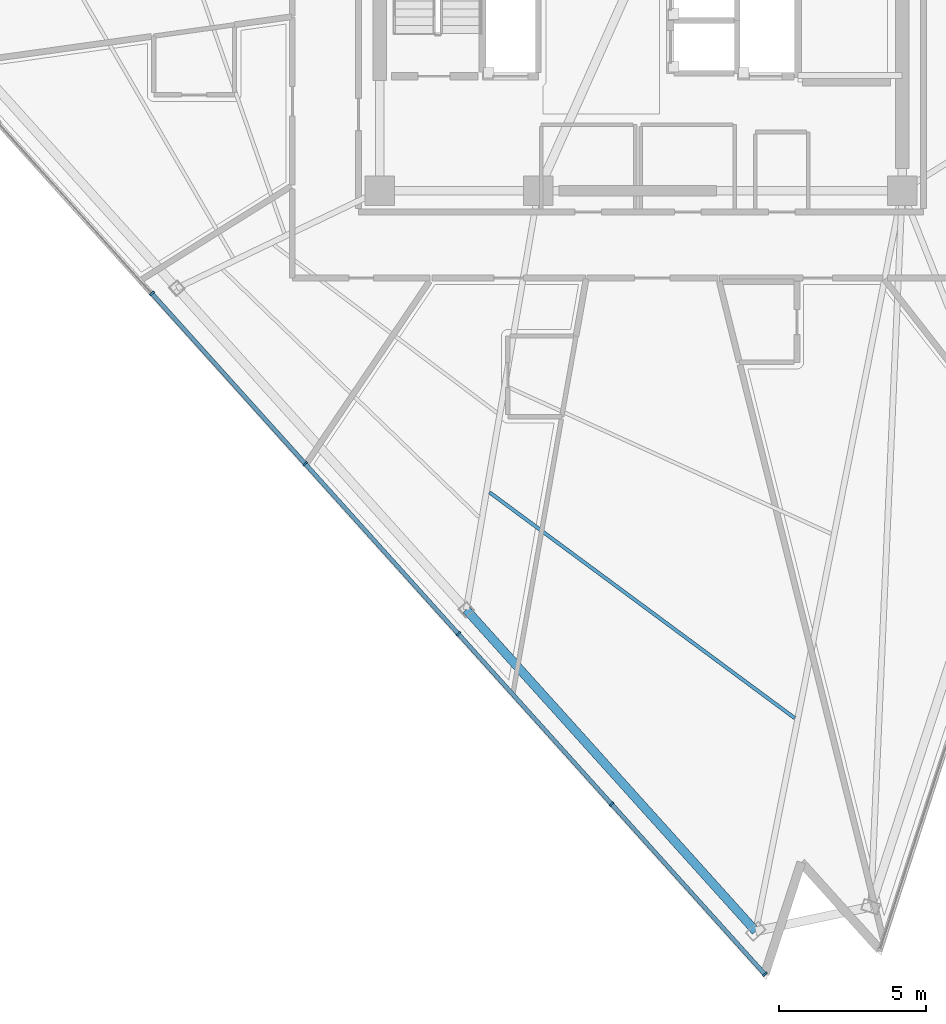
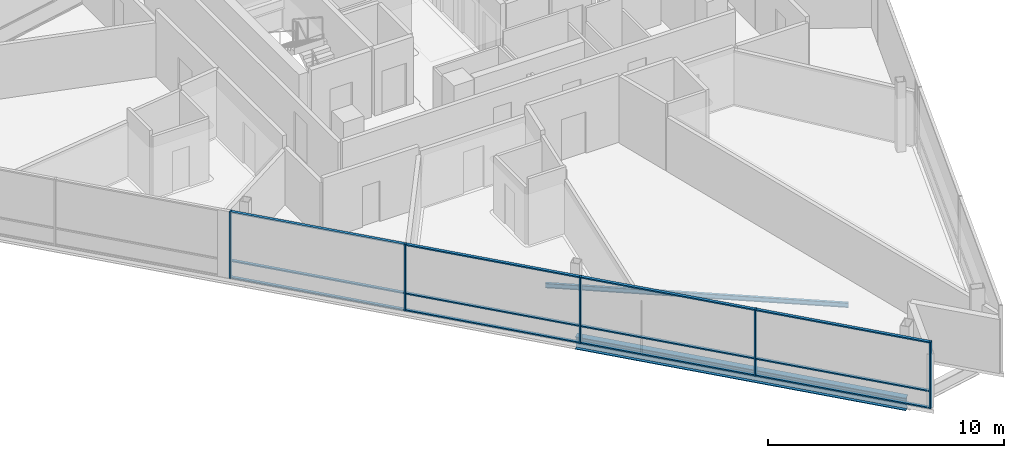
# One storey, part 2 of 17: 17 members, 2 beams, 1 element without a shape of its own.
"""IFC4 building model written with IfcOpenShell, lengths in metres."""

from ifc_helpers import new_model, si_unit, direction, frame, origin, origin_2d, place, context, subcontext, project, spatial, rectangle, i_section, extrude, material, layer, layer_set, material_profile, profile_set, type_object, element, aggregate, save


model = new_model("IFC4")

# Units and contexts
model_context = context("Model", 3, precision=1e-05, world=origin(), true_north=direction((0.0, 1.0)))
body_context = subcontext(model_context, "Body", "Model", "MODEL_VIEW")
ifc_project = project(units=[si_unit("LENGTHUNIT", "METRE"), si_unit("AREAUNIT", "SQUARE_METRE"), si_unit("VOLUMEUNIT", "CUBIC_METRE"), si_unit("PLANEANGLEUNIT", "RADIAN"), si_unit("MASSUNIT", "GRAM", prefix="KILO")], contexts=[model_context])

# Site, building, storey
site_placement = place(None, origin())
site = spatial("IfcSite", under=ifc_project, at=site_placement, CompositionType="ELEMENT")
building_placement = place(site_placement, origin())
building = spatial("IfcBuilding", under=site, at=building_placement, Name="Tharavind Bronze Gate", CompositionType="ELEMENT")
storey_placement = place(building_placement, frame((0.0, 0.0, 294.35009765625)))
storey = spatial("IfcBuildingStorey", under=building, at=storey_placement, Name="L76", CompositionType="ELEMENT", Elevation=294.35009765625)

# Curtain wall, members
ifc_material_1 = material(Name="Anodised Bronze Aluminium", Category="aluminium")
ifc_layer = layer(ifc_material_1, 0.219970703125)
ifc_layer_set = layer_set([ifc_layer], Name="Anodised Bronze Aluminium")
curtain_wall_type = type_object("IfcCurtainWallType", Name="UNITISED CURTAIN WALL CROWN", PredefinedType="USERDEFINED", material=ifc_layer_set)
curtain_wall_placement = place(storey_placement, origin())
curtain_wall = element("IfcCurtainWall", 1, at=curtain_wall_placement, inside=storey, type_object=curtain_wall_type, Name="L76 unitised curtain wall crown CW-L76-S1", ObjectType="UNITISED CURTAIN WALL", PredefinedType="USERDEFINED")
member_type_1 = type_object("IfcMemberType", Name="CURTAIN WALL BRONZE MULLION 65X180", PredefinedType="MULLION", material=ifc_material_1)
member_1_placement = place(storey_placement, frame((-16.663330078125, -11.101806640625, 0.0), z_axis=(0.0, 0.0, 1.0), x_axis=(0.669130606359, -0.743144825477, 0.0)))
member_1 = element("IfcMember", 2, at=member_1_placement, type_object=member_type_1, Name="CW-L76-S1 mullion 3", PredefinedType="MULLION", context=body_context, shape_type="SweptSolid", body=[
    extrude(rectangle(XDim=0.06494140625, YDim=0.179931640625, at=origin_2d()), origin(), (0.0, 0.0, 1.0), 3.449951171875),
])
member_2_placement = place(storey_placement, frame((-11.442138671875, -16.900390625, 0.0), z_axis=(0.0, 0.0, 1.0), x_axis=(0.669130606359, -0.743144825477, 0.0)))
member_2 = element("IfcMember", 3, at=member_2_placement, type_object=member_type_1, Name="CW-L76-S1 mullion 4", PredefinedType="MULLION", context=body_context, shape_type="SweptSolid", body=[
    extrude(rectangle(XDim=0.06494140625, YDim=0.179931640625, at=origin_2d()), origin(), (0.0, 0.0, 1.0), 3.449951171875),
])
member_3_placement = place(storey_placement, frame((-6.22119140625, -22.698974609375, 0.0), z_axis=(0.0, 0.0, 1.0), x_axis=(0.669130606359, -0.743144825477, 0.0)))
member_3 = element("IfcMember", 4, at=member_3_placement, type_object=member_type_1, Name="CW-L76-S1 mullion 5", PredefinedType="MULLION", context=body_context, shape_type="SweptSolid", body=[
    extrude(rectangle(XDim=0.06494140625, YDim=0.179931640625, at=origin_2d()), origin(), (0.0, 0.0, 1.0), 3.449951171875),
])
member_4_placement = place(storey_placement, frame((-1.000244140625, -28.49755859375, 0.0), z_axis=(0.0, 0.0, 1.0), x_axis=(0.669130606359, -0.743144825477, 0.0)))
member_4 = element("IfcMember", 5, at=member_4_placement, type_object=member_type_1, Name="CW-L76-S1 mullion 6", PredefinedType="MULLION", context=body_context, shape_type="SweptSolid", body=[
    extrude(rectangle(XDim=0.06494140625, YDim=0.179931640625, at=origin_2d()), origin(), (0.0, 0.0, 1.0), 3.449951171875),
])
member_5_placement = place(storey_placement, frame((4.220703125, -34.2958984375, 0.0), z_axis=(0.0, 0.0, 1.0), x_axis=(0.669130606359, -0.743144825477, 0.0)))
member_5 = element("IfcMember", 6, at=member_5_placement, type_object=member_type_1, Name="CW-L76-S1 mullion 7", PredefinedType="MULLION", context=body_context, shape_type="SweptSolid", body=[
    extrude(rectangle(XDim=0.06494140625, YDim=0.179931640625, at=origin_2d()), origin(), (0.0, 0.0, 1.0), 3.449951171875),
])
member_type_2 = type_object("IfcMemberType", Name="CURTAIN WALL BRONZE TRANSOM 65X140", PredefinedType="USERDEFINED", material=ifc_material_1)
member_6_placement = place(storey_placement, frame((-14.052734375, -14.001220703125, 0.0), z_axis=(0.0, 0.0, 1.0), x_axis=(0.669130606359, -0.743144825477, 0.0)))
member_6 = element("IfcMember", 7, at=member_6_placement, type_object=member_type_2, Name="CW-L76-S1 transom TB3", ObjectType="TRANSOM", PredefinedType="USERDEFINED", context=body_context, shape_type="SweptSolid", body=[
    extrude(rectangle(XDim=7.749755859375, YDim=0.139892578125, at=origin_2d()), origin(), (0.0, 0.0, 1.0), 0.06494140625),
])
member_7_placement = place(storey_placement, frame((-14.052734375, -14.001220703125, 0.867431640625), z_axis=(0.0, 0.0, 1.0), x_axis=(0.669130606359, -0.743144825477, 0.0)))
member_7 = element("IfcMember", 8, at=member_7_placement, type_object=member_type_2, Name="CW-L76-S1 transom TS3", ObjectType="TRANSOM", PredefinedType="USERDEFINED", context=body_context, shape_type="SweptSolid", body=[
    extrude(rectangle(XDim=7.749755859375, YDim=0.139892578125, at=origin_2d()), origin(), (0.0, 0.0, 1.0), 0.06494140625),
])
member_8_placement = place(storey_placement, frame((-14.052734375, -14.001220703125, 3.385009765625), z_axis=(0.0, 0.0, 1.0), x_axis=(0.669130606359, -0.743144825477, 0.0)))
member_8 = element("IfcMember", 9, at=member_8_placement, type_object=member_type_2, Name="CW-L76-S1 transom TT3", ObjectType="TRANSOM", PredefinedType="USERDEFINED", context=body_context, shape_type="SweptSolid", body=[
    extrude(rectangle(XDim=7.749755859375, YDim=0.139892578125, at=origin_2d()), origin(), (0.0, 0.0, 1.0), 0.06494140625),
])
member_9_placement = place(storey_placement, frame((-8.831787109375, -19.7998046875, 0.0), z_axis=(0.0, 0.0, 1.0), x_axis=(0.669130606359, -0.743144825477, 0.0)))
member_9 = element("IfcMember", 10, at=member_9_placement, type_object=member_type_2, Name="CW-L76-S1 transom TB4", ObjectType="TRANSOM", PredefinedType="USERDEFINED", context=body_context, shape_type="SweptSolid", body=[
    extrude(rectangle(XDim=7.749755859375, YDim=0.139892578125, at=origin_2d()), origin(), (0.0, 0.0, 1.0), 0.06494140625),
])
member_10_placement = place(storey_placement, frame((-8.831787109375, -19.7998046875, 0.867431640625), z_axis=(0.0, 0.0, 1.0), x_axis=(0.669130606359, -0.743144825477, 0.0)))
member_10 = element("IfcMember", 11, at=member_10_placement, type_object=member_type_2, Name="CW-L76-S1 transom TS4", ObjectType="TRANSOM", PredefinedType="USERDEFINED", context=body_context, shape_type="SweptSolid", body=[
    extrude(rectangle(XDim=7.749755859375, YDim=0.139892578125, at=origin_2d()), origin(), (0.0, 0.0, 1.0), 0.06494140625),
])
member_11_placement = place(storey_placement, frame((-8.831787109375, -19.7998046875, 3.385009765625), z_axis=(0.0, 0.0, 1.0), x_axis=(0.669130606359, -0.743144825477, 0.0)))
member_11 = element("IfcMember", 12, at=member_11_placement, type_object=member_type_2, Name="CW-L76-S1 transom TT4", ObjectType="TRANSOM", PredefinedType="USERDEFINED", context=body_context, shape_type="SweptSolid", body=[
    extrude(rectangle(XDim=7.749755859375, YDim=0.139892578125, at=origin_2d()), origin(), (0.0, 0.0, 1.0), 0.06494140625),
])
member_12_placement = place(storey_placement, frame((-3.610595703125, -25.59814453125, 0.0), z_axis=(0.0, 0.0, 1.0), x_axis=(0.669130606359, -0.743144825477, 0.0)))
member_12 = element("IfcMember", 13, at=member_12_placement, type_object=member_type_2, Name="CW-L76-S1 transom TB5", ObjectType="TRANSOM", PredefinedType="USERDEFINED", context=body_context, shape_type="SweptSolid", body=[
    extrude(rectangle(XDim=7.749755859375, YDim=0.139892578125, at=origin_2d()), origin(), (0.0, 0.0, 1.0), 0.06494140625),
])
member_13_placement = place(storey_placement, frame((-3.610595703125, -25.59814453125, 0.867431640625), z_axis=(0.0, 0.0, 1.0), x_axis=(0.669130606359, -0.743144825477, 0.0)))
member_13 = element("IfcMember", 14, at=member_13_placement, type_object=member_type_2, Name="CW-L76-S1 transom TS5", ObjectType="TRANSOM", PredefinedType="USERDEFINED", context=body_context, shape_type="SweptSolid", body=[
    extrude(rectangle(XDim=7.749755859375, YDim=0.139892578125, at=origin_2d()), origin(), (0.0, 0.0, 1.0), 0.06494140625),
])
member_14_placement = place(storey_placement, frame((-3.610595703125, -25.59814453125, 3.385009765625), z_axis=(0.0, 0.0, 1.0), x_axis=(0.669130606359, -0.743144825477, 0.0)))
member_14 = element("IfcMember", 15, at=member_14_placement, type_object=member_type_2, Name="CW-L76-S1 transom TT5", ObjectType="TRANSOM", PredefinedType="USERDEFINED", context=body_context, shape_type="SweptSolid", body=[
    extrude(rectangle(XDim=7.749755859375, YDim=0.139892578125, at=origin_2d()), origin(), (0.0, 0.0, 1.0), 0.06494140625),
])
member_15_placement = place(storey_placement, frame((1.6103515625, -31.396728515625, 0.0), z_axis=(0.0, 0.0, 1.0), x_axis=(0.669130606359, -0.743144825477, 0.0)))
member_15 = element("IfcMember", 16, at=member_15_placement, type_object=member_type_2, Name="CW-L76-S1 transom TB6", ObjectType="TRANSOM", PredefinedType="USERDEFINED", context=body_context, shape_type="SweptSolid", body=[
    extrude(rectangle(XDim=7.749755859375, YDim=0.139892578125, at=origin_2d()), origin(), (0.0, 0.0, 1.0), 0.06494140625),
])
member_16_placement = place(storey_placement, frame((1.6103515625, -31.396728515625, 0.867431640625), z_axis=(0.0, 0.0, 1.0), x_axis=(0.669130606359, -0.743144825477, 0.0)))
member_16 = element("IfcMember", 17, at=member_16_placement, type_object=member_type_2, Name="CW-L76-S1 transom TS6", ObjectType="TRANSOM", PredefinedType="USERDEFINED", context=body_context, shape_type="SweptSolid", body=[
    extrude(rectangle(XDim=7.749755859375, YDim=0.139892578125, at=origin_2d()), origin(), (0.0, 0.0, 1.0), 0.06494140625),
])
member_17_placement = place(storey_placement, frame((1.6103515625, -31.396728515625, 3.385009765625), z_axis=(0.0, 0.0, 1.0), x_axis=(0.669130606359, -0.743144825477, 0.0)))
member_17 = element("IfcMember", 18, at=member_17_placement, type_object=member_type_2, Name="CW-L76-S1 transom TT6", ObjectType="TRANSOM", PredefinedType="USERDEFINED", context=body_context, shape_type="SweptSolid", body=[
    extrude(rectangle(XDim=7.749755859375, YDim=0.139892578125, at=origin_2d()), origin(), (0.0, 0.0, 1.0), 0.06494140625),
])
aggregate(curtain_wall, [member_1, member_2, member_3, member_4, member_5, member_6, member_7, member_8, member_9, member_10, member_11, member_12, member_13, member_14, member_15, member_16, member_17])

# Beams
ifc_material_2 = material(Name="Steel S355", Category="steel")
ifc_material_profile_1 = material_profile(ifc_material_2, i_section(OverallWidth=0.300048828125, OverallDepth=0.64990234375, WebThickness=0.01611328125, FlangeThickness=0.031005859375, at=origin_2d()), Name="HE650B")
ifc_profile_set_1 = profile_set([ifc_material_profile_1], Name="Steel S355")
beam_type_1 = type_object("IfcBeamType", Name="PRIMARY GIRDER HE650B", PredefinedType="USERDEFINED", material=ifc_profile_set_1)
beam_1_placement = place(storey_placement, frame((-5.95361328125, -21.875244140625, -0.510009765625), z_axis=(0.669134014343, -0.7431417569, 0.0), x_axis=(0.7431417569, 0.669134014343, 0.0)))
element("IfcBeam", 19, at=beam_1_placement, inside=storey, type_object=beam_type_1, Name="L76 primary girder he650b BM-L76-PRG03", ObjectType="GIRDER", PredefinedType="USERDEFINED", context=body_context, shape_type="SweptSolid", body=[
    extrude(i_section(OverallWidth=0.300048828125, OverallDepth=0.64990234375, WebThickness=0.01611328125, FlangeThickness=0.031005859375, at=origin_2d()), origin(), (0.0, 0.0, 1.0), 14.7392578125),
])
ifc_material_profile_2 = material_profile(ifc_material_2, i_section(OverallWidth=0.1201171875, OverallDepth=0.239990234375, WebThickness=0.006103515625, FlangeThickness=0.009765625, at=origin_2d()), Name="IPE240")
ifc_profile_set_2 = profile_set([ifc_material_profile_2], Name="Steel S355")
beam_type_2 = type_object("IfcBeamType", Name="SECONDARY FLOOR JOIST IPE240", PredefinedType="JOIST", material=ifc_profile_set_2)
beam_2_placement = place(storey_placement, frame((-5.1611328125, -17.875732421875, -0.30517578125), z_axis=(0.803905058173, -0.594757645973, 0.0), x_axis=(0.594757645973, 0.803905058173, 0.0)))
element("IfcBeam", 20, at=beam_2_placement, inside=storey, type_object=beam_type_2, Name="L76 secondary floor joist ipe240 BM-L76-JSTB03", PredefinedType="JOIST", context=body_context, shape_type="SweptSolid", body=[
    extrude(i_section(OverallWidth=0.1201171875, OverallDepth=0.239990234375, WebThickness=0.006103515625, FlangeThickness=0.009765625, at=origin_2d()), origin(), (0.0, 0.0, 1.0), 12.937255859375),
])

save(model, "model.ifc")
